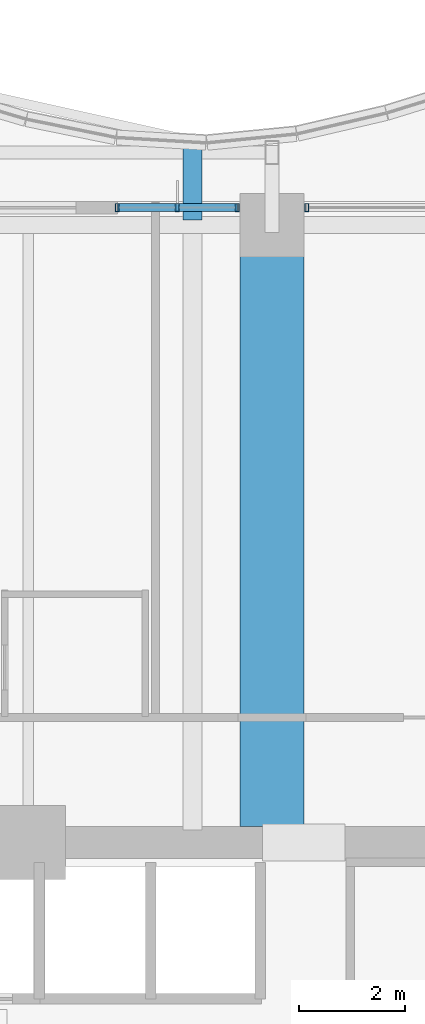
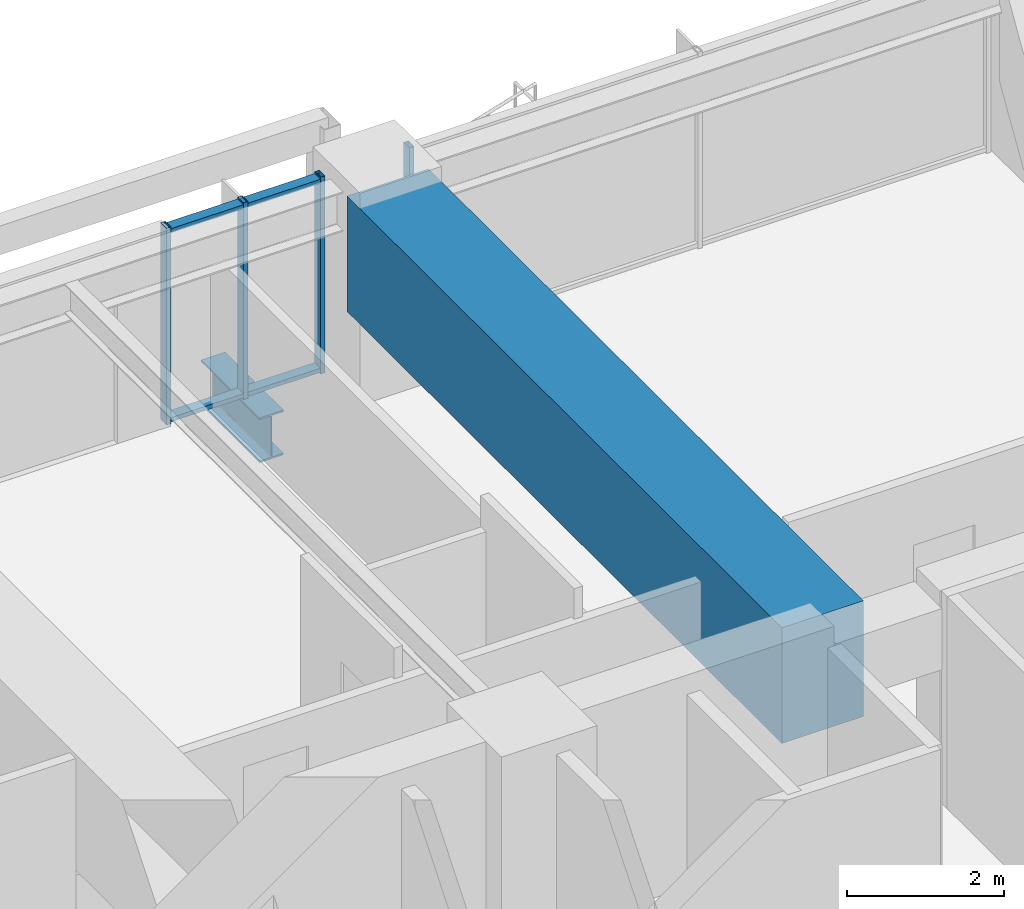
# One storey, part 21 of 37: 6 members, 2 beams, 2 elements without a shape of their own.
"""IFC4 building model written with IfcOpenShell, lengths in metres."""

from ifc_helpers import new_model, si_unit, direction, frame, origin, origin_2d, place, context, subcontext, project, spatial, rectangle, hollow_rectangle, i_section, extrude, material, material_profile, profile_set, type_object, element, aggregate, save


model = new_model("IFC4")

# Units and contexts
model_context = context("Model", 3, precision=1e-05, world=origin(), true_north=direction((0.0, 1.0)))
body_context = subcontext(model_context, "Body", "Model", "MODEL_VIEW")
ifc_project = project(units=[si_unit("LENGTHUNIT", "METRE"), si_unit("AREAUNIT", "SQUARE_METRE"), si_unit("VOLUMEUNIT", "CUBIC_METRE"), si_unit("PLANEANGLEUNIT", "RADIAN"), si_unit("MASSUNIT", "GRAM", prefix="KILO")], contexts=[model_context])

# Site, building, storey
site_placement = place(None, origin())
site = spatial("IfcSite", under=ifc_project, at=site_placement, CompositionType="ELEMENT")
building_placement = place(site_placement, origin())
building = spatial("IfcBuilding", under=site, at=building_placement, Name="Kolvaren Belvedere", CompositionType="ELEMENT")
storey_placement = place(building_placement, frame((0.0, 0.0, 56.800048828125)))
storey = spatial("IfcBuildingStorey", under=building, at=storey_placement, Name="L16", CompositionType="ELEMENT", Elevation=56.800048828125)

# Beams
ifc_material_1 = material(Name="Structural steel ASTM A992 Grade 50", Category="steel")
ifc_material_profile_1 = material_profile(ifc_material_1, i_section(OverallWidth=0.35498046875, OverallDepth=0.696044921875, WebThickness=0.015380859375, FlangeThickness=0.02490234375, FilletRadius=0.02197265625, at=origin_2d()), Name="W27X146")
ifc_profile_set_1 = profile_set([ifc_material_profile_1], Name="Structural steel ASTM A992 Grade 50")
beam_type_1 = type_object("IfcBeamType", Name="BM-CANT-BAL", PredefinedType="BEAM", material=ifc_profile_set_1)
beam_1_placement = place(storey_placement, frame((3.10009765625, 21.64501953125, -0.588134765625), z_axis=(0.0, 1.0, 0.0), x_axis=(-1.0, 0.0, 0.0)))
element("IfcBeam", 1, at=beam_1_placement, inside=storey, type_object=beam_type_1, Name="L16 Planted Balcony Cantilever BAL-N-2", PredefinedType="BEAM", context=body_context, shape_type="SweptSolid", body=[
    extrude(i_section(OverallWidth=0.35498046875, OverallDepth=0.696044921875, WebThickness=0.015380859375, FlangeThickness=0.02490234375, FilletRadius=0.02197265625, at=origin_2d()), origin(), (0.0, 0.0, 1.0), 1.49267578125),
])
ifc_material_2 = material(Name="Concrete C50/60", Category="concrete")
ifc_material_profile_2 = material_profile(ifc_material_2, rectangle(XDim=1.199951171875, YDim=1.800048828125, at=origin_2d()), Name="RC 1200X1800")
ifc_profile_set_2 = profile_set([ifc_material_profile_2], Name="Concrete C50/60")
beam_type_2 = type_object("IfcBeamType", Name="BM-TG-1800", PredefinedType="BEAM", material=ifc_profile_set_2)
beam_2_placement = place(storey_placement, frame((4.60009765625, 10.199951171875, 2.159912109375), z_axis=(0.0, 1.0, 0.0), x_axis=(-1.0, 0.0, 0.0)))
element("IfcBeam", 2, at=beam_2_placement, inside=storey, type_object=beam_type_2, Name="L16 North Radial Girder P", PredefinedType="BEAM", context=body_context, shape_type="SweptSolid", body=[
    extrude(rectangle(XDim=1.199951171875, YDim=1.800048828125, at=origin_2d()), origin(), (0.0, 0.0, 1.0), 11.080078125),
])

# Curtain wall, members
ifc_material_3 = material(Name="Anodised pale-metal aluminium AA 6063-T6", Category="aluminium")
curtain_wall_type = type_object("IfcCurtainWallType", Name="CW-Z1-LOW", PredefinedType="NOTDEFINED", material=ifc_material_3)
curtain_wall_1_placement = place(storey_placement, origin())
curtain_wall_1 = element("IfcCurtainWall", 3, at=curtain_wall_1_placement, inside=storey, type_object=curtain_wall_type, Name="L16 Unitised Curtain Wall FCW-L16-N2-B1", PredefinedType="NOTDEFINED")
ifc_material_4 = material(Name="Anodised pale-metal aluminium AA 6063-T6", Category="aluminium")
ifc_material_profile_3 = material_profile(ifc_material_4, hollow_rectangle(XDim=0.070068359375, YDim=0.14990234375, WallThickness=0.004150390625, at=origin_2d()), Name="ALU-MUL-150X70")
ifc_profile_set_3 = profile_set([ifc_material_profile_3], Name="Anodised pale-metal aluminium AA 6063-T6")
member_type_1 = type_object("IfcMemberType", Name="CW-MUL-150", PredefinedType="MULLION", material=ifc_profile_set_3)
member_1_placement = place(storey_placement, frame((1.679931640625, 21.8798828125, 0.0), z_axis=(0.0, 0.0, 1.0), x_axis=(1.0, 0.0, 0.0)))
member_1 = element("IfcMember", 4, at=member_1_placement, type_object=member_type_1, Name="FCW-L16-N2-B1 Unitised Mullion 1", PredefinedType="MULLION", context=body_context, shape_type="SweptSolid", body=[
    extrude(hollow_rectangle(XDim=0.070068359375, YDim=0.14990234375, WallThickness=0.004150390625, at=origin_2d()), origin(), (0.0, 0.0, 1.0), 3.06005859375),
])
member_2_placement = place(storey_placement, frame((2.8125, 21.8798828125, 0.0), z_axis=(0.0, 0.0, 1.0), x_axis=(1.0, 0.0, 0.0)))
member_2 = element("IfcMember", 5, at=member_2_placement, type_object=member_type_1, Name="FCW-L16-N2-B1 Unitised Mullion 2", PredefinedType="MULLION", context=body_context, shape_type="SweptSolid", body=[
    extrude(hollow_rectangle(XDim=0.070068359375, YDim=0.14990234375, WallThickness=0.004150390625, at=origin_2d()), origin(), (0.0, 0.0, 1.0), 3.06005859375),
])
member_3_placement = place(storey_placement, frame((3.945068359375, 21.8798828125, 0.0), z_axis=(0.0, 0.0, 1.0), x_axis=(1.0, 0.0, 0.0)))
member_3 = element("IfcMember", 6, at=member_3_placement, type_object=member_type_1, Name="FCW-L16-N2-B1 Unitised Mullion 3", PredefinedType="MULLION", context=body_context, shape_type="SweptSolid", body=[
    extrude(hollow_rectangle(XDim=0.070068359375, YDim=0.14990234375, WallThickness=0.004150390625, at=origin_2d()), origin(), (0.0, 0.0, 1.0), 3.06005859375),
])

# Curtain wall, member
curtain_wall_2_placement = place(storey_placement, origin())
curtain_wall_2 = element("IfcCurtainWall", 7, at=curtain_wall_2_placement, inside=storey, type_object=curtain_wall_type, Name="L16 Unitised Curtain Wall FCW-L16-N2-B2", PredefinedType="NOTDEFINED")
member_4_placement = place(storey_placement, frame((5.2548828125, 21.8798828125, 0.0), z_axis=(0.0, 0.0, 1.0), x_axis=(1.0, 0.0, 0.0)))
member_4 = element("IfcMember", 8, at=member_4_placement, type_object=member_type_1, Name="FCW-L16-N2-B2 Unitised Mullion 1", PredefinedType="MULLION", context=body_context, shape_type="SweptSolid", body=[
    extrude(hollow_rectangle(XDim=0.070068359375, YDim=0.14990234375, WallThickness=0.004150390625, at=origin_2d()), origin(), (0.0, 0.0, 1.0), 3.06005859375),
])
aggregate(curtain_wall_2, [member_4])

# Member
ifc_material_5 = material(Name="Anodised pale-metal aluminium AA 6063-T6", Category="aluminium")
ifc_material_profile_4 = material_profile(ifc_material_5, hollow_rectangle(XDim=0.06494140625, YDim=0.14990234375, WallThickness=0.00390625, at=origin_2d()), Name="ALU-TRN-150X65")
ifc_profile_set_4 = profile_set([ifc_material_profile_4], Name="Anodised pale-metal aluminium AA 6063-T6")
member_type_2 = type_object("IfcMemberType", Name="CW-TRN-150", PredefinedType="USERDEFINED", material=ifc_profile_set_4)
member_5_placement = place(storey_placement, frame((1.679931640625, 21.8798828125, 0.06005859375), z_axis=(1.0, 0.0, 0.0), x_axis=(0.0, 0.0, 1.0)))
member_5 = element("IfcMember", 9, at=member_5_placement, type_object=member_type_2, Name="FCW-L16-N2-B1 Sill Transom", ObjectType="TRANSOM", PredefinedType="USERDEFINED", context=body_context, shape_type="SweptSolid", body=[
    extrude(hollow_rectangle(XDim=0.06494140625, YDim=0.14990234375, WallThickness=0.00390625, at=origin_2d()), origin(), (0.0, 0.0, 1.0), 2.26513671875),
])

member_6_placement = place(storey_placement, frame((1.679931640625, 21.8798828125, 3.0), z_axis=(1.0, 0.0, 0.0), x_axis=(0.0, 0.0, 1.0)))
member_6 = element("IfcMember", 10, at=member_6_placement, type_object=member_type_2, Name="FCW-L16-N2-B1 Head Transom", ObjectType="TRANSOM", PredefinedType="USERDEFINED", context=body_context, shape_type="SweptSolid", body=[
    extrude(hollow_rectangle(XDim=0.06494140625, YDim=0.14990234375, WallThickness=0.00390625, at=origin_2d()), origin(), (0.0, 0.0, 1.0), 2.26513671875),
])

aggregate(curtain_wall_1, [member_1, member_2, member_3, member_5, member_6])

save(model, "model.ifc")
